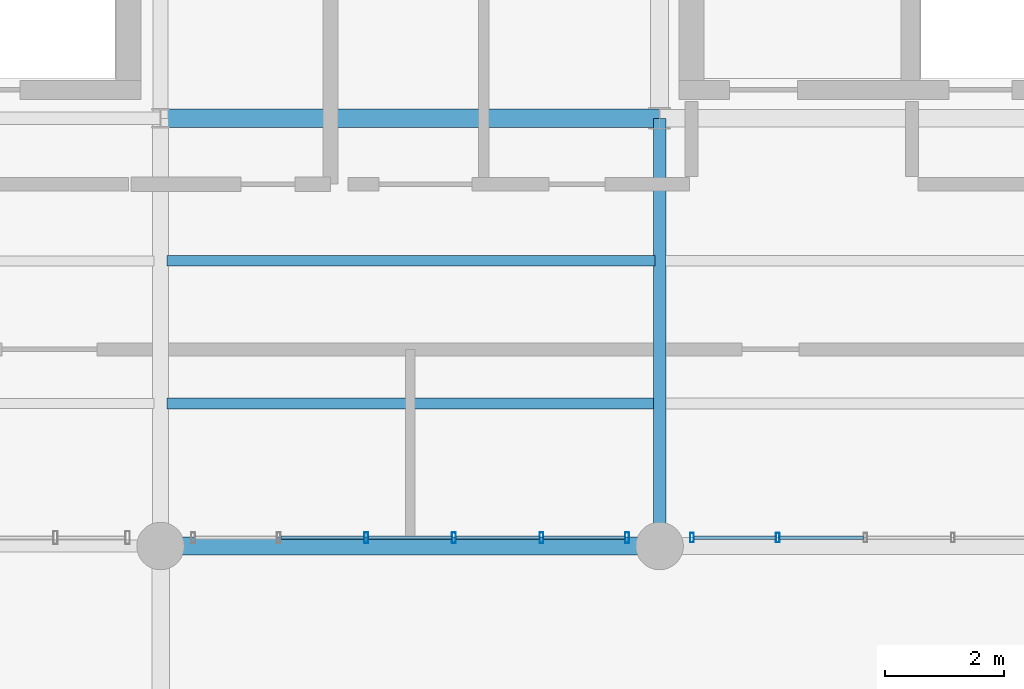
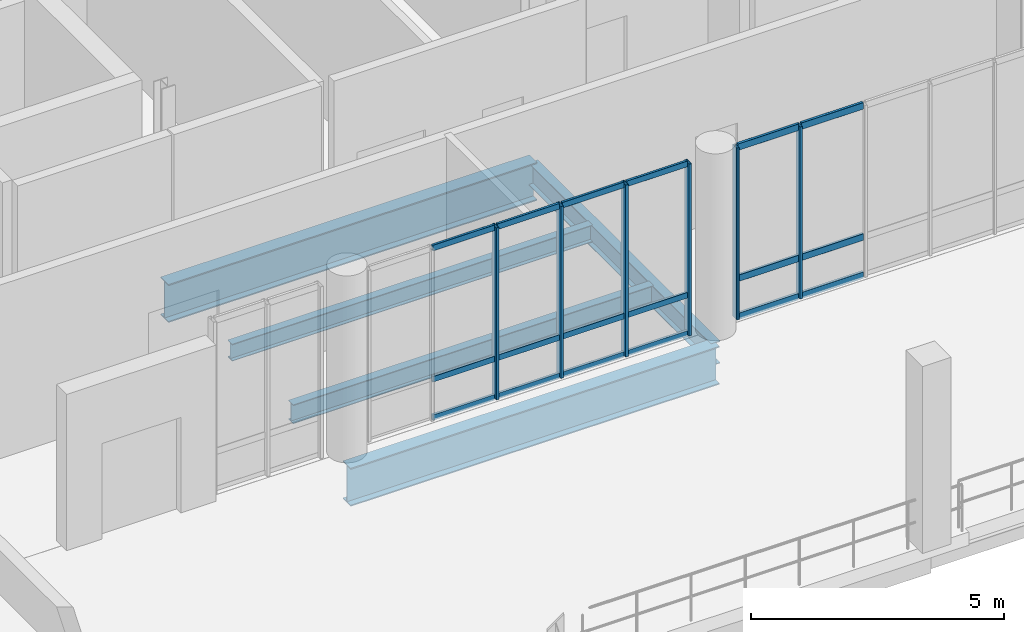
# One storey, part 12 of 68: 24 members, 5 beams, 2 elements without a shape of their own.
"""IFC4 building model written with IfcOpenShell, lengths in metres."""

from ifc_helpers import new_model, si_unit, direction, frame, origin_with_axes, origin_2d_with_axis, place, context, subcontext, project, spatial, hollow_rectangle, i_section, extrude, material, material_profile, profile_set, type_object, element, aggregate, save


model = new_model("IFC4")

# Units and contexts
model_context = context("Model", 3, precision=1e-05, world=origin_with_axes(), true_north=direction((0.0, 1.0)))
body_context = subcontext(model_context, "Body", "Model", "MODEL_VIEW")
ifc_project = project(units=[si_unit("LENGTHUNIT", "METRE"), si_unit("AREAUNIT", "SQUARE_METRE"), si_unit("VOLUMEUNIT", "CUBIC_METRE"), si_unit("PLANEANGLEUNIT", "RADIAN"), si_unit("MASSUNIT", "GRAM", prefix="KILO"), si_unit("THERMODYNAMICTEMPERATUREUNIT", "KELVIN")], contexts=[model_context])

# Site, building, storey
site_placement = place(None, origin_with_axes())
site = spatial("IfcSite", under=ifc_project, at=site_placement, CompositionType="ELEMENT")
building_placement = place(site_placement, origin_with_axes())
building = spatial("IfcBuilding", under=site, at=building_placement, Name="Montbau Bow Law Courts", CompositionType="ELEMENT")
storey_placement = place(building_placement, frame((0.0, 0.0, 20.4), z_axis=(0.0, 0.0, 1.0), x_axis=(1.0, 0.0, 0.0)))
storey = spatial("IfcBuildingStorey", under=building, at=storey_placement, Name="L04", CompositionType="ELEMENT", Elevation=20.4)

# Beams
ifc_material_1 = material(Name="Steel CSA G40.21 Grade 350W (350 MPa)", Category="steel")
ifc_material_profile_1 = material_profile(ifc_material_1, i_section(OverallWidth=0.306, OverallDepth=0.919, WebThickness=0.0173, FlangeThickness=0.0279, at=origin_2d_with_axis()), Name="W920X253", Category="Main", Priority=0)
ifc_profile_set_1 = profile_set([ifc_material_profile_1], Name="Steel CSA G40.21 Grade 350W (350 MPa)")
beam_type_1 = type_object("IfcBeamType", Name="B-FLR-01", PredefinedType="BEAM", material=ifc_profile_set_1)
for number, where, z_axis, x_axis, name in (
    (1, (22.2, 39.0, 19.62), (1.0, 0.0, 0.0), (0.0, 1.0, 0.0), "BM-L04-S0624:bm2_0627"),
    (2, (22.2, 46.2, 19.681), (1.0, 0.0, 0.0), (0.0, 1.0, 0.0), "BM-L04-S0629:bm2_0632"),
):
    element("IfcBeam", number, at=place(None, frame(where, z_axis=z_axis, x_axis=x_axis)), inside=storey, type_object=beam_type_1, Name=name, PredefinedType="BEAM", context=body_context, shape_type="SweptSolid", body=[
        extrude(i_section(OverallWidth=0.306, OverallDepth=0.919, WebThickness=0.0173, FlangeThickness=0.0279, at=origin_2d_with_axis()), origin_with_axes(), (0.0, 0.0, 1.0), 8.4),
    ])
ifc_material_profile_2 = material_profile(ifc_material_1, i_section(OverallWidth=0.21, OverallDepth=0.537, WebThickness=0.0109, FlangeThickness=0.0174, at=origin_2d_with_axis()), Name="W530X101", Category="Main", Priority=0)
ifc_profile_set_2 = profile_set([ifc_material_profile_2], Name="Steel CSA G40.21 Grade 350W (350 MPa)")
beam_type_2 = type_object("IfcBeamType", Name="B-FLR-06", PredefinedType="BEAM", material=ifc_profile_set_2)
beam_1_placement = place(None, frame((30.6, 39.0, 19.811), z_axis=(0.0, 1.0, 0.0), x_axis=(-1.0, 0.0, 0.0)))
element("IfcBeam", 3, at=beam_1_placement, inside=storey, type_object=beam_type_2, Name="BM-L04-S0645:bm2_0648", PredefinedType="BEAM", context=body_context, shape_type="SweptSolid", body=[
    extrude(i_section(OverallWidth=0.21, OverallDepth=0.537, WebThickness=0.0109, FlangeThickness=0.0174, at=origin_2d_with_axis()), origin_with_axes(), (0.0, 0.0, 1.0), 7.2),
])
ifc_material_profile_3 = material_profile(ifc_material_1, i_section(OverallWidth=0.191, OverallDepth=0.46, WebThickness=0.0099, FlangeThickness=0.016, at=origin_2d_with_axis()), Name="W460X82", Category="Main", Priority=0)
ifc_profile_set_3 = profile_set([ifc_material_profile_3], Name="Steel CSA G40.21 Grade 350W (350 MPa)")
beam_type_3 = type_object("IfcBeamType", Name="B-JST-01", PredefinedType="JOIST", material=ifc_profile_set_3)
beam_2_placement = place(None, frame((22.309, 41.4, 19.85), z_axis=(1.0, 0.0, 0.0), x_axis=(0.0, 1.0, 0.0)))
element("IfcBeam", 4, at=beam_2_placement, inside=storey, type_object=beam_type_3, Name="JST-L04-S0308:jst2_0308", PredefinedType="JOIST", context=body_context, shape_type="SweptSolid", body=[
    extrude(i_section(OverallWidth=0.191, OverallDepth=0.46, WebThickness=0.0099, FlangeThickness=0.016, at=origin_2d_with_axis()), origin_with_axes(), (0.0, 0.0, 1.0), 8.21),
])
ifc_material_profile_4 = material_profile(ifc_material_1, i_section(OverallWidth=0.179, OverallDepth=0.41, WebThickness=0.0088, FlangeThickness=0.0144, at=origin_2d_with_axis()), Name="W410X67", Category="Main", Priority=0)
ifc_profile_set_4 = profile_set([ifc_material_profile_4], Name="Steel CSA G40.21 Grade 350W (350 MPa)")
beam_type_4 = type_object("IfcBeamType", Name="B-JST-02", PredefinedType="JOIST", material=ifc_profile_set_4)
beam_3_placement = place(None, frame((22.309, 43.8, 19.875), z_axis=(1.0, 0.0, 0.0), x_axis=(0.0, 1.0, 0.0)))
element("IfcBeam", 5, at=beam_3_placement, inside=storey, type_object=beam_type_4, Name="JST-L04-S0309:jst2_0309", PredefinedType="JOIST", context=body_context, shape_type="SweptSolid", body=[
    extrude(i_section(OverallWidth=0.179, OverallDepth=0.41, WebThickness=0.0088, FlangeThickness=0.0144, at=origin_2d_with_axis()), origin_with_axes(), (0.0, 0.0, 1.0), 8.21),
])

# Curtain wall, members
ifc_material_2 = material(Name="Thermally Broken Extruded Aluminium AA 6063-T6", Category="aluminium")
curtain_wall_type = type_object("IfcCurtainWallType", Name="CW-NCK-01", PredefinedType="NOTDEFINED", material=ifc_material_2)
curtain_wall_1_placement = place(None, frame((22.715, 39.14, 20.4), z_axis=(0.0, 0.0, 1.0), x_axis=(1.0, 0.0, 0.0)))
curtain_wall_1 = element("IfcCurtainWall", 6, at=curtain_wall_1_placement, inside=storey, type_object=curtain_wall_type, Name="CW-L04-067:cw_0067", PredefinedType="NOTDEFINED")
ifc_material_profile_5 = material_profile(ifc_material_2, hollow_rectangle(XDim=0.065, YDim=0.18, WallThickness=0.005, InnerFilletRadius=0.01, OuterFilletRadius=0.005, at=origin_2d_with_axis()), Name="CWM-180X65", Category="Main", Priority=0)
ifc_profile_set_5 = profile_set([ifc_material_profile_5], Name="Thermally Broken Extruded Aluminium AA 6063-T6")
member_type_1 = type_object("IfcMemberType", Name="M-MUL-02", PredefinedType="MULLION", material=ifc_profile_set_5)
member_1_placement = place(None, frame((25.663, 39.14, 20.4), z_axis=(0.0, 0.0, 1.0), x_axis=(1.0, 0.0, 0.0)))
member_1 = element("IfcMember", 7, at=member_1_placement, type_object=member_type_1, Name="CW-L04-067-M03:cw_0067_M03", PredefinedType="MULLION", context=body_context, shape_type="SweptSolid", body=[
    extrude(hollow_rectangle(XDim=0.065, YDim=0.18, WallThickness=0.005, InnerFilletRadius=0.01, OuterFilletRadius=0.005, at=origin_2d_with_axis()), origin_with_axes(), (0.0, 0.0, 1.0), 4.14),
])
member_2_placement = place(None, frame((27.137, 39.14, 20.4), z_axis=(0.0, 0.0, 1.0), x_axis=(1.0, 0.0, 0.0)))
member_2 = element("IfcMember", 8, at=member_2_placement, type_object=member_type_1, Name="CW-L04-067-M04:cw_0067_M04", PredefinedType="MULLION", context=body_context, shape_type="SweptSolid", body=[
    extrude(hollow_rectangle(XDim=0.065, YDim=0.18, WallThickness=0.005, InnerFilletRadius=0.01, OuterFilletRadius=0.005, at=origin_2d_with_axis()), origin_with_axes(), (0.0, 0.0, 1.0), 4.14),
])
member_3_placement = place(None, frame((28.611, 39.14, 20.4), z_axis=(0.0, 0.0, 1.0), x_axis=(1.0, 0.0, 0.0)))
member_3 = element("IfcMember", 9, at=member_3_placement, type_object=member_type_1, Name="CW-L04-067-M05:cw_0067_M05", PredefinedType="MULLION", context=body_context, shape_type="SweptSolid", body=[
    extrude(hollow_rectangle(XDim=0.065, YDim=0.18, WallThickness=0.005, InnerFilletRadius=0.01, OuterFilletRadius=0.005, at=origin_2d_with_axis()), origin_with_axes(), (0.0, 0.0, 1.0), 4.14),
])
member_4_placement = place(None, frame((30.053, 39.14, 20.4), z_axis=(0.0, 0.0, 1.0), x_axis=(1.0, 0.0, 0.0)))
member_4 = element("IfcMember", 10, at=member_4_placement, type_object=member_type_1, Name="CW-L04-067-M06:cw_0067_M06", PredefinedType="MULLION", context=body_context, shape_type="SweptSolid", body=[
    extrude(hollow_rectangle(XDim=0.065, YDim=0.18, WallThickness=0.005, InnerFilletRadius=0.01, OuterFilletRadius=0.005, at=origin_2d_with_axis()), origin_with_axes(), (0.0, 0.0, 1.0), 4.14),
])

curtain_wall_2_placement = place(None, frame((31.115, 39.14, 20.4), z_axis=(0.0, 0.0, 1.0), x_axis=(1.0, 0.0, 0.0)))
curtain_wall_2 = element("IfcCurtainWall", 11, at=curtain_wall_2_placement, inside=storey, type_object=curtain_wall_type, Name="CW-L04-068:cw_0068", PredefinedType="NOTDEFINED")
ifc_material_profile_6 = material_profile(ifc_material_2, hollow_rectangle(XDim=0.06, YDim=0.16, WallThickness=0.004, InnerFilletRadius=0.008, OuterFilletRadius=0.004, at=origin_2d_with_axis()), Name="CWM-160X60", Category="Main", Priority=0)
ifc_profile_set_6 = profile_set([ifc_material_profile_6], Name="Thermally Broken Extruded Aluminium AA 6063-T6")
member_type_2 = type_object("IfcMemberType", Name="M-MUL-03", PredefinedType="MULLION", material=ifc_profile_set_6)
member_5_placement = place(None, frame((31.145, 39.14, 20.4), z_axis=(0.0, 0.0, 1.0), x_axis=(1.0, 0.0, 0.0)))
member_5 = element("IfcMember", 12, at=member_5_placement, type_object=member_type_2, Name="CW-L04-068-M01:cw_0068_M01", PredefinedType="MULLION", context=body_context, shape_type="SweptSolid", body=[
    extrude(hollow_rectangle(XDim=0.06, YDim=0.16, WallThickness=0.004, InnerFilletRadius=0.008, OuterFilletRadius=0.004, at=origin_2d_with_axis()), origin_with_axes(), (0.0, 0.0, 1.0), 4.14),
])
member_6_placement = place(None, frame((32.589, 39.14, 20.4), z_axis=(0.0, 0.0, 1.0), x_axis=(1.0, 0.0, 0.0)))
member_6 = element("IfcMember", 13, at=member_6_placement, type_object=member_type_2, Name="CW-L04-068-M02:cw_0068_M02", PredefinedType="MULLION", context=body_context, shape_type="SweptSolid", body=[
    extrude(hollow_rectangle(XDim=0.06, YDim=0.16, WallThickness=0.004, InnerFilletRadius=0.008, OuterFilletRadius=0.004, at=origin_2d_with_axis()), origin_with_axes(), (0.0, 0.0, 1.0), 4.14),
])
ifc_material_profile_7 = material_profile(ifc_material_2, hollow_rectangle(XDim=0.06, YDim=0.16, WallThickness=0.004, InnerFilletRadius=0.008, OuterFilletRadius=0.004, at=origin_2d_with_axis()), Name="CWT-160X60", Category="Main", Priority=0)
ifc_profile_set_7 = profile_set([ifc_material_profile_7], Name="Thermally Broken Extruded Aluminium AA 6063-T6")
member_type_3 = type_object("IfcMemberType", Name="M-TRN-01", PredefinedType="USERDEFINED", material=ifc_profile_set_7)
member_7_placement = place(None, frame((31.177, 39.14, 20.43), z_axis=(1.0, 0.0, 0.0), x_axis=(0.0, 1.0, 0.0)))
member_7 = element("IfcMember", 14, at=member_7_placement, type_object=member_type_3, Name="CW-L04-068-T01-1:cw_0068_T01_1", ObjectType="TRANSOM", PredefinedType="USERDEFINED", context=body_context, shape_type="SweptSolid", body=[
    extrude(hollow_rectangle(XDim=0.06, YDim=0.16, WallThickness=0.004, InnerFilletRadius=0.008, OuterFilletRadius=0.004, at=origin_2d_with_axis()), origin_with_axes(), (0.0, 0.0, 1.0), 1.38),
])
member_8_placement = place(None, frame((31.177, 39.14, 21.35), z_axis=(1.0, 0.0, 0.0), x_axis=(0.0, 1.0, 0.0)))
member_8 = element("IfcMember", 15, at=member_8_placement, type_object=member_type_3, Name="CW-L04-068-T01-2:cw_0068_T01_2", ObjectType="TRANSOM", PredefinedType="USERDEFINED", context=body_context, shape_type="SweptSolid", body=[
    extrude(hollow_rectangle(XDim=0.06, YDim=0.16, WallThickness=0.004, InnerFilletRadius=0.008, OuterFilletRadius=0.004, at=origin_2d_with_axis()), origin_with_axes(), (0.0, 0.0, 1.0), 1.38),
])
member_9_placement = place(None, frame((31.177, 39.14, 24.51), z_axis=(1.0, 0.0, 0.0), x_axis=(0.0, 1.0, 0.0)))
member_9 = element("IfcMember", 16, at=member_9_placement, type_object=member_type_3, Name="CW-L04-068-T01-3:cw_0068_T01_3", ObjectType="TRANSOM", PredefinedType="USERDEFINED", context=body_context, shape_type="SweptSolid", body=[
    extrude(hollow_rectangle(XDim=0.06, YDim=0.16, WallThickness=0.004, InnerFilletRadius=0.008, OuterFilletRadius=0.004, at=origin_2d_with_axis()), origin_with_axes(), (0.0, 0.0, 1.0), 1.38),
])
member_10_placement = place(None, frame((32.621, 39.14, 20.43), z_axis=(1.0, 0.0, 0.0), x_axis=(0.0, 1.0, 0.0)))
member_10 = element("IfcMember", 17, at=member_10_placement, type_object=member_type_3, Name="CW-L04-068-T02-1:cw_0068_T02_1", ObjectType="TRANSOM", PredefinedType="USERDEFINED", context=body_context, shape_type="SweptSolid", body=[
    extrude(hollow_rectangle(XDim=0.06, YDim=0.16, WallThickness=0.004, InnerFilletRadius=0.008, OuterFilletRadius=0.004, at=origin_2d_with_axis()), origin_with_axes(), (0.0, 0.0, 1.0), 1.41),
])
member_11_placement = place(None, frame((32.621, 39.14, 21.35), z_axis=(1.0, 0.0, 0.0), x_axis=(0.0, 1.0, 0.0)))
member_11 = element("IfcMember", 18, at=member_11_placement, type_object=member_type_3, Name="CW-L04-068-T02-2:cw_0068_T02_2", ObjectType="TRANSOM", PredefinedType="USERDEFINED", context=body_context, shape_type="SweptSolid", body=[
    extrude(hollow_rectangle(XDim=0.06, YDim=0.16, WallThickness=0.004, InnerFilletRadius=0.008, OuterFilletRadius=0.004, at=origin_2d_with_axis()), origin_with_axes(), (0.0, 0.0, 1.0), 1.41),
])
member_12_placement = place(None, frame((32.621, 39.14, 24.51), z_axis=(1.0, 0.0, 0.0), x_axis=(0.0, 1.0, 0.0)))
member_12 = element("IfcMember", 19, at=member_12_placement, type_object=member_type_3, Name="CW-L04-068-T02-3:cw_0068_T02_3", ObjectType="TRANSOM", PredefinedType="USERDEFINED", context=body_context, shape_type="SweptSolid", body=[
    extrude(hollow_rectangle(XDim=0.06, YDim=0.16, WallThickness=0.004, InnerFilletRadius=0.008, OuterFilletRadius=0.004, at=origin_2d_with_axis()), origin_with_axes(), (0.0, 0.0, 1.0), 1.41),
])
aggregate(curtain_wall_2, [member_5, member_6, member_7, member_8, member_9, member_10, member_11, member_12])

# Member
ifc_material_profile_8 = material_profile(ifc_material_2, hollow_rectangle(XDim=0.055, YDim=0.14, WallThickness=0.004, InnerFilletRadius=0.008, OuterFilletRadius=0.004, at=origin_2d_with_axis()), Name="CWT-140X55", Category="Main", Priority=0)
ifc_profile_set_8 = profile_set([ifc_material_profile_8], Name="Thermally Broken Extruded Aluminium AA 6063-T6")
member_type_4 = type_object("IfcMemberType", Name="M-TRN-02", PredefinedType="USERDEFINED", material=ifc_profile_set_8)
member_13_placement = place(None, frame((24.223, 39.14, 20.427), z_axis=(1.0, 0.0, 0.0), x_axis=(0.0, 1.0, 0.0)))
member_13 = element("IfcMember", 20, at=member_13_placement, type_object=member_type_4, Name="CW-L04-067-T02-1:cw_0067_T02_1", ObjectType="TRANSOM", PredefinedType="USERDEFINED", context=body_context, shape_type="SweptSolid", body=[
    extrude(hollow_rectangle(XDim=0.055, YDim=0.14, WallThickness=0.004, InnerFilletRadius=0.008, OuterFilletRadius=0.004, at=origin_2d_with_axis()), origin_with_axes(), (0.0, 0.0, 1.0), 1.405),
])

member_14_placement = place(None, frame((24.223, 39.14, 21.35), z_axis=(1.0, 0.0, 0.0), x_axis=(0.0, 1.0, 0.0)))
member_14 = element("IfcMember", 21, at=member_14_placement, type_object=member_type_4, Name="CW-L04-067-T02-2:cw_0067_T02_2", ObjectType="TRANSOM", PredefinedType="USERDEFINED", context=body_context, shape_type="SweptSolid", body=[
    extrude(hollow_rectangle(XDim=0.055, YDim=0.14, WallThickness=0.004, InnerFilletRadius=0.008, OuterFilletRadius=0.004, at=origin_2d_with_axis()), origin_with_axes(), (0.0, 0.0, 1.0), 1.405),
])

member_15_placement = place(None, frame((24.223, 39.14, 24.512), z_axis=(1.0, 0.0, 0.0), x_axis=(0.0, 1.0, 0.0)))
member_15 = element("IfcMember", 22, at=member_15_placement, type_object=member_type_4, Name="CW-L04-067-T02-3:cw_0067_T02_3", ObjectType="TRANSOM", PredefinedType="USERDEFINED", context=body_context, shape_type="SweptSolid", body=[
    extrude(hollow_rectangle(XDim=0.055, YDim=0.14, WallThickness=0.004, InnerFilletRadius=0.008, OuterFilletRadius=0.004, at=origin_2d_with_axis()), origin_with_axes(), (0.0, 0.0, 1.0), 1.405),
])

member_16_placement = place(None, frame((25.697, 39.14, 20.427), z_axis=(1.0, 0.0, 0.0), x_axis=(0.0, 1.0, 0.0)))
member_16 = element("IfcMember", 23, at=member_16_placement, type_object=member_type_4, Name="CW-L04-067-T03-1:cw_0067_T03_1", ObjectType="TRANSOM", PredefinedType="USERDEFINED", context=body_context, shape_type="SweptSolid", body=[
    extrude(hollow_rectangle(XDim=0.055, YDim=0.14, WallThickness=0.004, InnerFilletRadius=0.008, OuterFilletRadius=0.004, at=origin_2d_with_axis()), origin_with_axes(), (0.0, 0.0, 1.0), 1.406),
])

member_17_placement = place(None, frame((25.697, 39.14, 21.35), z_axis=(1.0, 0.0, 0.0), x_axis=(0.0, 1.0, 0.0)))
member_17 = element("IfcMember", 24, at=member_17_placement, type_object=member_type_4, Name="CW-L04-067-T03-2:cw_0067_T03_2", ObjectType="TRANSOM", PredefinedType="USERDEFINED", context=body_context, shape_type="SweptSolid", body=[
    extrude(hollow_rectangle(XDim=0.055, YDim=0.14, WallThickness=0.004, InnerFilletRadius=0.008, OuterFilletRadius=0.004, at=origin_2d_with_axis()), origin_with_axes(), (0.0, 0.0, 1.0), 1.406),
])

member_18_placement = place(None, frame((25.697, 39.14, 24.512), z_axis=(1.0, 0.0, 0.0), x_axis=(0.0, 1.0, 0.0)))
member_18 = element("IfcMember", 25, at=member_18_placement, type_object=member_type_4, Name="CW-L04-067-T03-3:cw_0067_T03_3", ObjectType="TRANSOM", PredefinedType="USERDEFINED", context=body_context, shape_type="SweptSolid", body=[
    extrude(hollow_rectangle(XDim=0.055, YDim=0.14, WallThickness=0.004, InnerFilletRadius=0.008, OuterFilletRadius=0.004, at=origin_2d_with_axis()), origin_with_axes(), (0.0, 0.0, 1.0), 1.406),
])

member_19_placement = place(None, frame((27.171, 39.14, 20.427), z_axis=(1.0, 0.0, 0.0), x_axis=(0.0, 1.0, 0.0)))
member_19 = element("IfcMember", 26, at=member_19_placement, type_object=member_type_4, Name="CW-L04-067-T04-1:cw_0067_T04_1", ObjectType="TRANSOM", PredefinedType="USERDEFINED", context=body_context, shape_type="SweptSolid", body=[
    extrude(hollow_rectangle(XDim=0.055, YDim=0.14, WallThickness=0.004, InnerFilletRadius=0.008, OuterFilletRadius=0.004, at=origin_2d_with_axis()), origin_with_axes(), (0.0, 0.0, 1.0), 1.406),
])

member_20_placement = place(None, frame((27.171, 39.14, 21.35), z_axis=(1.0, 0.0, 0.0), x_axis=(0.0, 1.0, 0.0)))
member_20 = element("IfcMember", 27, at=member_20_placement, type_object=member_type_4, Name="CW-L04-067-T04-2:cw_0067_T04_2", ObjectType="TRANSOM", PredefinedType="USERDEFINED", context=body_context, shape_type="SweptSolid", body=[
    extrude(hollow_rectangle(XDim=0.055, YDim=0.14, WallThickness=0.004, InnerFilletRadius=0.008, OuterFilletRadius=0.004, at=origin_2d_with_axis()), origin_with_axes(), (0.0, 0.0, 1.0), 1.406),
])

member_21_placement = place(None, frame((27.171, 39.14, 24.512), z_axis=(1.0, 0.0, 0.0), x_axis=(0.0, 1.0, 0.0)))
member_21 = element("IfcMember", 28, at=member_21_placement, type_object=member_type_4, Name="CW-L04-067-T04-3:cw_0067_T04_3", ObjectType="TRANSOM", PredefinedType="USERDEFINED", context=body_context, shape_type="SweptSolid", body=[
    extrude(hollow_rectangle(XDim=0.055, YDim=0.14, WallThickness=0.004, InnerFilletRadius=0.008, OuterFilletRadius=0.004, at=origin_2d_with_axis()), origin_with_axes(), (0.0, 0.0, 1.0), 1.406),
])

member_22_placement = place(None, frame((28.645, 39.14, 20.427), z_axis=(1.0, 0.0, 0.0), x_axis=(0.0, 1.0, 0.0)))
member_22 = element("IfcMember", 29, at=member_22_placement, type_object=member_type_4, Name="CW-L04-067-T05-1:cw_0067_T05_1", ObjectType="TRANSOM", PredefinedType="USERDEFINED", context=body_context, shape_type="SweptSolid", body=[
    extrude(hollow_rectangle(XDim=0.055, YDim=0.14, WallThickness=0.004, InnerFilletRadius=0.008, OuterFilletRadius=0.004, at=origin_2d_with_axis()), origin_with_axes(), (0.0, 0.0, 1.0), 1.374),
])

member_23_placement = place(None, frame((28.645, 39.14, 21.35), z_axis=(1.0, 0.0, 0.0), x_axis=(0.0, 1.0, 0.0)))
member_23 = element("IfcMember", 30, at=member_23_placement, type_object=member_type_4, Name="CW-L04-067-T05-2:cw_0067_T05_2", ObjectType="TRANSOM", PredefinedType="USERDEFINED", context=body_context, shape_type="SweptSolid", body=[
    extrude(hollow_rectangle(XDim=0.055, YDim=0.14, WallThickness=0.004, InnerFilletRadius=0.008, OuterFilletRadius=0.004, at=origin_2d_with_axis()), origin_with_axes(), (0.0, 0.0, 1.0), 1.374),
])

member_24_placement = place(None, frame((28.645, 39.14, 24.512), z_axis=(1.0, 0.0, 0.0), x_axis=(0.0, 1.0, 0.0)))
member_24 = element("IfcMember", 31, at=member_24_placement, type_object=member_type_4, Name="CW-L04-067-T05-3:cw_0067_T05_3", ObjectType="TRANSOM", PredefinedType="USERDEFINED", context=body_context, shape_type="SweptSolid", body=[
    extrude(hollow_rectangle(XDim=0.055, YDim=0.14, WallThickness=0.004, InnerFilletRadius=0.008, OuterFilletRadius=0.004, at=origin_2d_with_axis()), origin_with_axes(), (0.0, 0.0, 1.0), 1.374),
])

aggregate(curtain_wall_1, [member_1, member_2, member_3, member_4, member_13, member_14, member_15, member_16, member_17, member_18, member_19, member_20, member_21, member_22, member_23, member_24])

save(model, "model.ifc")
